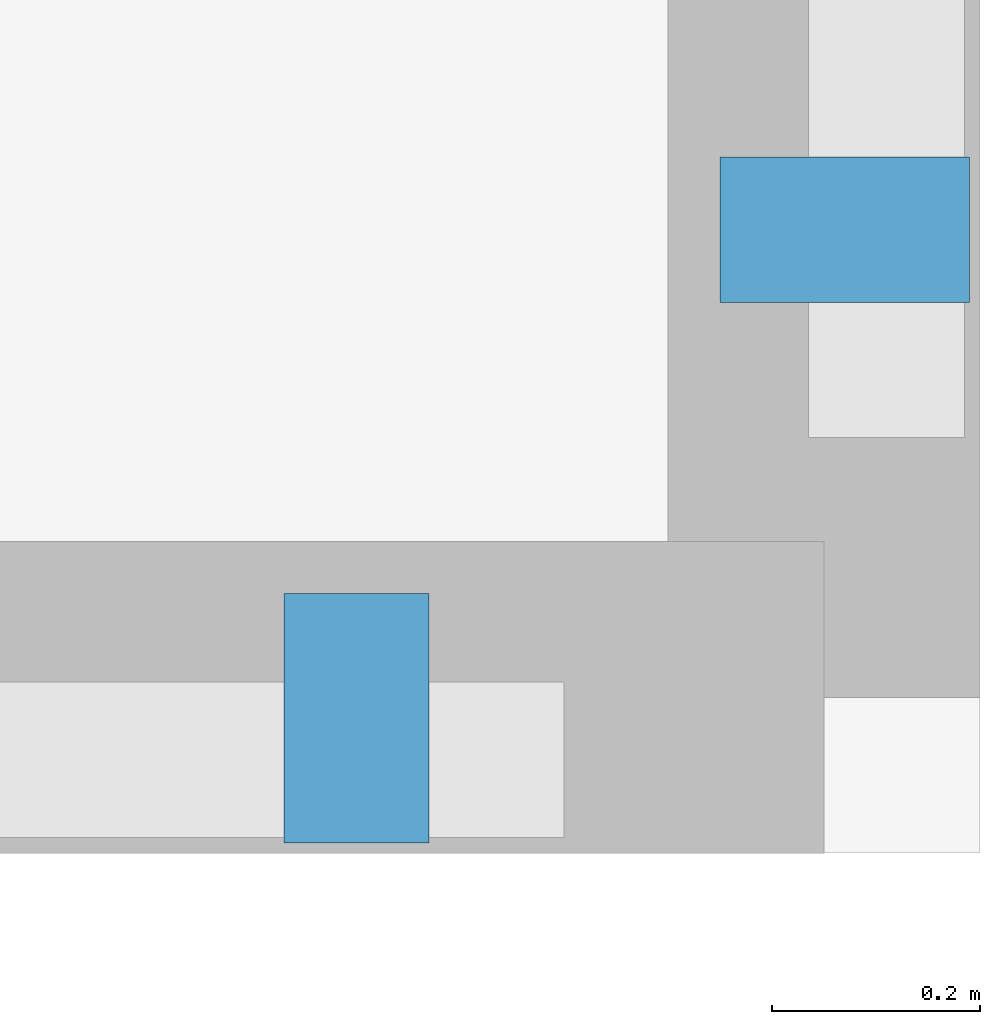
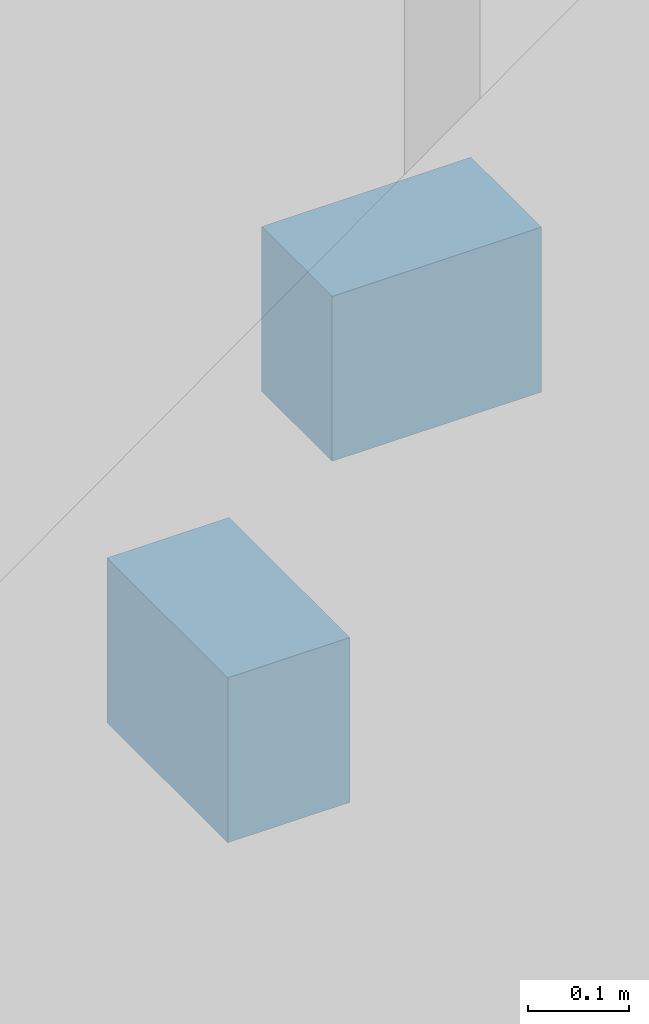
# One storey, part 18 of 22: 2 discrete accessories.
"""IFC4 building model written with IfcOpenShell, lengths in metres."""

import ifcopenshell
import ifcopenshell.guid

model = None  # the IFC model being written
_history = None  # IfcOwnerHistory: only IFC2X3 demands one
_inside = {}  # id of a spatial element -> (the spatial element, [elements in it])
_under = {}  # id of a project, library or spatial element -> (it, [spatial elements below it])
_declared = {}  # id of a project -> (the project, [libraries it declares])
_typed = {}  # id of a type object -> (the type object, [elements of that type])
_made_of = {}  # id of a material, layer set ... -> (it, [elements and type objects made of it])


def new_model(schema):
    """Start an empty IFC model of exactly this schema.

    Asked for "IFC4X3", IfcOpenShell would pick the latest addendum, in which some entities
    have other attributes; the version numbers below select the first issue.
    IFC2X3 requires an IfcOwnerHistory on every rooted entity: one is made here for all.
    """
    global model, _history
    if schema == "IFC4X3":
        model = ifcopenshell.file(schema_version=(4, 3, 0, 0))
    else:
        model = ifcopenshell.file(schema=schema)
    _inside.clear()
    _under.clear()
    _declared.clear()
    _typed.clear()
    _made_of.clear()
    _history = None
    if model.schema == "IFC2X3":
        org = make("IfcOrganization", Name="unknown")
        user = make(
            "IfcPersonAndOrganization",
            ThePerson=make("IfcPerson", FamilyName="unknown"),
            TheOrganization=org,
        )
        app = make(
            "IfcApplication",
            ApplicationDeveloper=org,
            Version="unknown",
            ApplicationFullName="unknown",
            ApplicationIdentifier="unknown",
        )
        _history = make(
            "IfcOwnerHistory",
            OwningUser=user,
            OwningApplication=app,
            ChangeAction="ADDED",
            CreationDate=0,
        )
    return model


def make(cls, **values):
    """One entity of the class cls with the attributes given. An attribute that is None is left unset."""
    return model.create_entity(
        cls, **{name: value for name, value in values.items() if value is not None}
    )


def rooted(cls, **values):
    """An entity with a GlobalId (a new one), such as an element, a storey or a relation."""
    return make(cls, GlobalId=ifcopenshell.guid.new(), OwnerHistory=_history, **values)


def si_unit(unit_type, name, prefix=None):
    """IfcSIUnit, for example si_unit("LENGTHUNIT", "METRE", prefix="MILLI")."""
    return make("IfcSIUnit", UnitType=unit_type, Prefix=prefix, Name=name)


def assignment(units):
    """IfcUnitAssignment: the units of a project."""
    return None if units is None else make("IfcUnitAssignment", Units=units)


def point(xyz):
    """IfcCartesianPoint."""
    return None if xyz is None else make("IfcCartesianPoint", Coordinates=xyz)


def direction(xyz):
    """IfcDirection."""
    return None if xyz is None else make("IfcDirection", DirectionRatios=xyz)


def frame(location, z_axis=None, x_axis=None):
    """IfcAxis2Placement3D, a coordinate frame: its origin and axes. An axis left out is left unset."""
    return make(
        "IfcAxis2Placement3D",
        Location=point(location),
        Axis=direction(z_axis),
        RefDirection=direction(x_axis),
    )


def frame_2d(location, x_axis=None):
    """IfcAxis2Placement2D, a coordinate frame in the plane: its origin and x axis."""
    return make(
        "IfcAxis2Placement2D", Location=point(location), RefDirection=direction(x_axis)
    )


def origin():
    """The frame at (0, 0, 0) with its axes left unset."""
    return frame((0.0, 0.0, 0.0))


def origin_2d():
    """The frame at (0, 0) in the plane with its x axis left unset."""
    return frame_2d((0.0, 0.0))


def place(relative_to, where):
    """IfcLocalPlacement: puts the frame where relative to a parent placement (None: the world)."""
    return make(
        "IfcLocalPlacement", PlacementRelTo=relative_to, RelativePlacement=where
    )


def context(
    kind, dimensions, precision=None, world=None, true_north=None, identifier=None
):
    """IfcGeometricRepresentationContext, for example the 3D "Model" context."""
    return make(
        "IfcGeometricRepresentationContext",
        ContextIdentifier=identifier,
        ContextType=kind,
        CoordinateSpaceDimension=dimensions,
        Precision=precision,
        WorldCoordinateSystem=world,
        TrueNorth=true_north,
    )


def subcontext(parent, identifier, kind, view, scale=None):
    """IfcGeometricRepresentationSubContext, for example "Body" below "Model"."""
    return make(
        "IfcGeometricRepresentationSubContext",
        ContextIdentifier=identifier,
        ContextType=kind,
        ParentContext=parent,
        TargetScale=scale,
        TargetView=view,
    )


def project(units=None, contexts=None):
    """IfcProject with its units and contexts."""
    return rooted(
        "IfcProject",
        Name="project",
        RepresentationContexts=contexts,
        UnitsInContext=assignment(units),
    )


def spatial(cls, under=None, at=None, **own):
    """A site, building, storey or space (cls), placed at a placement, below another one or the project."""
    s = rooted(cls, ObjectPlacement=at, **own)
    if under is not None:
        _under.setdefault(under.id(), (under, []))[1].append(s)
    return s


def profile(cls, at=None, kind="AREA", **sizes):
    """A parametric profile (cls). Its sizes go by their IFC names, for example OverallWidth=200.0."""
    return make(cls, ProfileType=kind, Position=at, **sizes)


def rectangle(**sizes):
    """IfcRectangleProfileDef."""
    return profile("IfcRectangleProfileDef", **sizes)


def extrude(swept, where, along, depth):
    """IfcExtrudedAreaSolid: the profile swept, set in the frame where, extruded along a direction by depth."""
    return make(
        "IfcExtrudedAreaSolid",
        SweptArea=swept,
        Position=where,
        ExtrudedDirection=direction(along),
        Depth=depth,
    )


def shape(context_of_items, identifier, shape_type, items):
    """IfcShapeRepresentation: the items that make up one representation, for example the "Body"."""
    return make(
        "IfcShapeRepresentation",
        ContextOfItems=context_of_items,
        RepresentationIdentifier=identifier,
        RepresentationType=shape_type,
        Items=items,
    )


def material(Name=None, Category=None):
    """IfcMaterial."""
    return make("IfcMaterial", Name=Name, Category=Category)


def made_of(thing, what):
    """Note that an element or type object is made of a material, layer set ...; save() writes the relation."""
    if what is not None:
        _made_of.setdefault(what.id(), (what, []))[1].append(thing)
    return thing


def type_object(cls, material=None, **own):
    """A type object (cls), such as IfcWallType, which elements share."""
    return made_of(rooted(cls, **own), material)


def element(
    cls,
    number,
    at=None,
    inside=None,
    cuts=None,
    type_object=None,
    material=None,
    context=None,
    identifier="Body",
    shape_type=None,
    held_by="IfcProductDefinitionShape",
    body=None,
    shapes=None,
    **own,
):
    """One element of the class cls, such as IfcWall. Its Tag is "e" and its number.

    at: its placement. inside: the storey or other place that contains it. cuts: it is an
    opening in that element (IfcRelVoidsElement). A single representation is given by context,
    identifier, shape_type and body (its items); several are given by shapes. held_by: the class
    of the entity that holds the representations. save() writes the other relations.
    """
    e = rooted(cls, Tag="e%d" % number, ObjectPlacement=at, **own)
    if body is not None:
        shapes = [shape(context, identifier, shape_type, body)]
    if shapes is not None:
        e.Representation = make(held_by, Representations=shapes)
    if inside is not None:
        _inside.setdefault(inside.id(), (inside, []))[1].append(e)
    if cuts is not None:
        rooted(
            "IfcRelVoidsElement", RelatingBuildingElement=cuts, RelatedOpeningElement=e
        )
    if type_object is not None:
        _typed.setdefault(type_object.id(), (type_object, []))[1].append(e)
    return made_of(e, material)


def aggregate(whole, parts):
    """IfcRelAggregates: a whole, such as a stair, and the parts it consists of."""
    return rooted("IfcRelAggregates", RelatingObject=whole, RelatedObjects=parts)


def save(model, path):
    """Write the relations noted so far, then the file.

    IfcRelAggregates (storeys below a building ...), IfcRelContainedInSpatialStructure (elements
    in a storey), IfcRelDefinesByType, IfcRelAssociatesMaterial and IfcRelDeclares: one each for
    every whole, place, type object, material and project.
    """
    for whole, parts in _under.values():
        aggregate(whole, parts)
    for where, things in _inside.values():
        rooted(
            "IfcRelContainedInSpatialStructure",
            RelatedElements=things,
            RelatingStructure=where,
        )
    for kind, things in _typed.values():
        rooted("IfcRelDefinesByType", RelatedObjects=things, RelatingType=kind)
    for what, things in _made_of.values():
        rooted("IfcRelAssociatesMaterial", RelatedObjects=things, RelatingMaterial=what)
    for by, libraries in _declared.values():
        rooted("IfcRelDeclares", RelatingContext=by, RelatedDefinitions=libraries)
    model.write(path)


model = new_model("IFC4")

# Units and contexts
model_context = context("Model", 3, precision=1e-05, world=origin(), true_north=direction((0.0, 1.0)))
body_context = subcontext(model_context, "Body", "Model", "MODEL_VIEW")
ifc_project = project(units=[si_unit("LENGTHUNIT", "METRE"), si_unit("AREAUNIT", "SQUARE_METRE"), si_unit("VOLUMEUNIT", "CUBIC_METRE"), si_unit("PLANEANGLEUNIT", "RADIAN"), si_unit("MASSUNIT", "GRAM", prefix="KILO")], contexts=[model_context])

# Site, building, storey
site_placement = place(None, origin())
site = spatial("IfcSite", under=ifc_project, at=site_placement, CompositionType="ELEMENT")
building_placement = place(site_placement, origin())
building = spatial("IfcBuilding", under=site, at=building_placement, Name="Tarnavaz Court Tower", CompositionType="ELEMENT")
storey_placement = place(building_placement, frame((0.0, 0.0, 27.35009765625)))
storey = spatial("IfcBuildingStorey", under=building, at=storey_placement, Name="L06", CompositionType="ELEMENT", Elevation=27.35009765625)

# Discrete accessories
ifc_material = material(Name="Anodised Aluminium 6063-T6", Category="aluminium")
discrete_accessory_type = type_object("IfcDiscreteAccessoryType", Name="DA-BRKT-ALU", PredefinedType="BRACKET", material=ifc_material)
for number, where, z_axis, x_axis, name in (
    (1, (28.669921875, -18.60009765625, 1.75), (0.0, 0.0, 1.0), (0.0, -1.0, 0.0), "L06 Baguette Outrigger Bracket FBG12-2"),
    (2, (28.199951171875, -19.070068359375, 1.75), (0.0, 0.0, 1.0), (-1.0, 0.0, 0.0), "L06 Baguette Outrigger Bracket FBG13-1"),
):
    element("IfcDiscreteAccessory", number, at=place(storey_placement, frame(where, z_axis=z_axis, x_axis=x_axis)), inside=storey, type_object=discrete_accessory_type, Name=name, PredefinedType="BRACKET", context=body_context, shape_type="SweptSolid", body=[
        extrude(rectangle(XDim=0.139892578125, YDim=0.239990234375, at=origin_2d()), origin(), (0.0, 0.0, 1.0), 0.199951171875),
    ])

save(model, "model.ifc")
